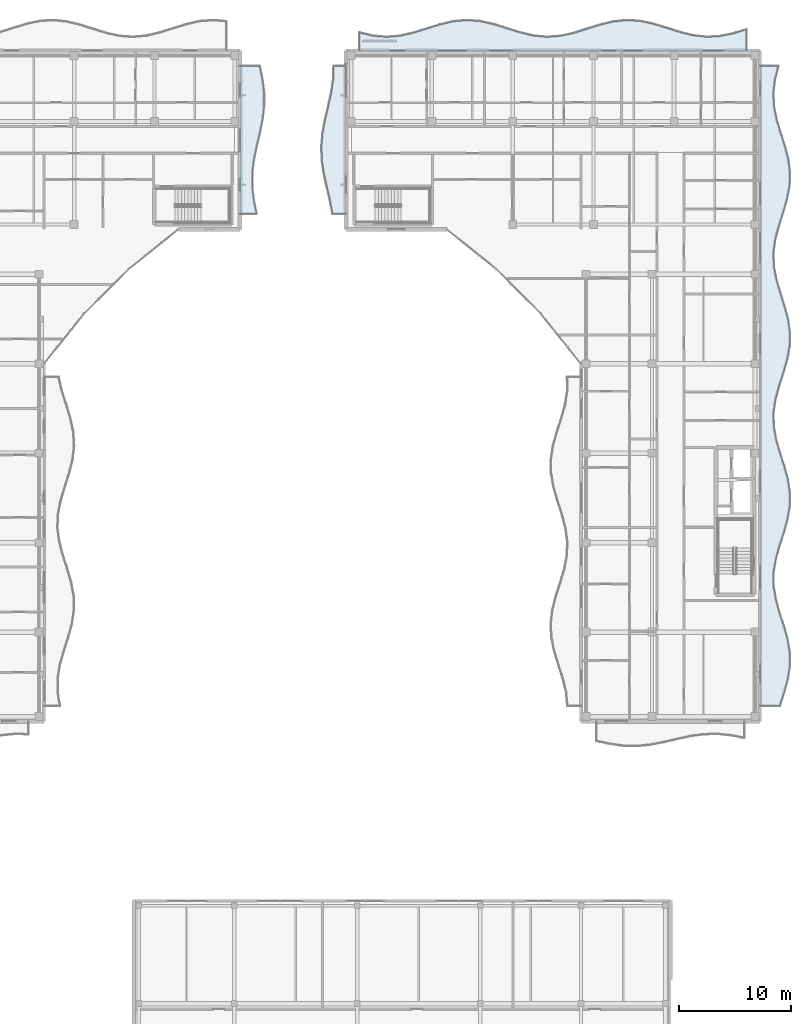
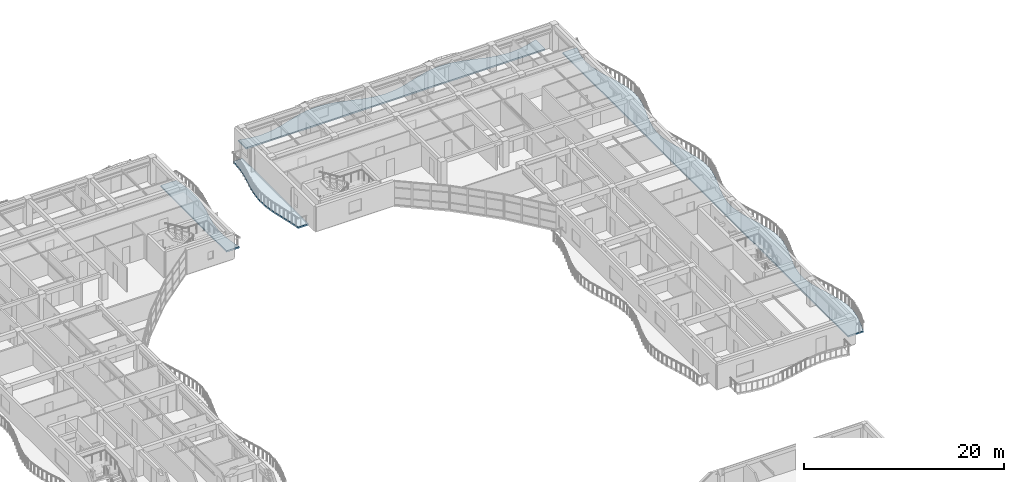
# One storey, part 44 of 89: 4 slabs.
"""IFC4 building model written with IfcOpenShell, lengths in metres."""

from ifc_helpers import new_model, si_unit, direction, frame, origin, place, context, subcontext, project, spatial, polyline, outline, extrude, material, layer, layer_set, type_object, element, save


model = new_model("IFC4")

# Units and contexts
model_context = context("Model", 3, precision=1e-05, world=origin(), true_north=direction((0.0, 1.0)))
body_context = subcontext(model_context, "Body", "Model", "MODEL_VIEW")
ifc_project = project(units=[si_unit("LENGTHUNIT", "METRE"), si_unit("AREAUNIT", "SQUARE_METRE"), si_unit("VOLUMEUNIT", "CUBIC_METRE"), si_unit("PLANEANGLEUNIT", "RADIAN"), si_unit("MASSUNIT", "GRAM", prefix="KILO")], contexts=[model_context])

# Site, building, storey
site_placement = place(None, origin())
site = spatial("IfcSite", under=ifc_project, at=site_placement, CompositionType="ELEMENT")
building_placement = place(site_placement, origin())
building = spatial("IfcBuilding", under=site, at=building_placement, Name="Keldmere Railside Commons", CompositionType="ELEMENT")
storey_placement = place(building_placement, frame((0.0, 0.0, 7.360107421875)))
storey = spatial("IfcBuildingStorey", under=building, at=storey_placement, Name="L02", CompositionType="ELEMENT", Elevation=7.360107421875)

# Slabs
ifc_material = material(Name="White Precast Concrete H-35 (C35/45)", Category="concrete")
ifc_layer = layer(ifc_material, 0.179931640625, Name="Sinusoidal Wave Balcony Slab 180")
ifc_layer_set = layer_set([ifc_layer], Name="White Precast Concrete H-35 (C35/45)")
slab_type = type_object("IfcSlabType", Name="Sinusoidal Wave Balcony Slab 180", PredefinedType="FLOOR", material=ifc_layer_set)
slab_1_placement = place(storey_placement, frame((0.0, 0.0, -0.18017578125)))
element("IfcSlab", 1, at=slab_1_placement, inside=storey, type_object=slab_type, Name="WB-1 B L02 WE Wave Balcony", PredefinedType="FLOOR", context=body_context, shape_type="SweptSolid", body=[
    extrude(outline(polyline([(139.009521484375, 101.39990234375), (138.762451171875, 102.60009765625), (138.619140625, 103.800048828125), (138.618408203125, 105.0), (138.759765625, 106.199951171875), (139.005859375, 107.39990234375), (139.29052734375, 108.60009765625), (139.53759765625, 109.800048828125), (139.680908203125, 111.0), (139.681640625, 112.199951171875), (139.540283203125, 113.39990234375), (139.294189453125, 114.60009765625), (137.5, 114.60009765625), (137.5, 113.39990234375), (137.5, 112.199951171875), (137.5, 111.0), (137.5, 109.800048828125), (137.5, 108.60009765625), (137.5, 107.39990234375), (137.5, 106.199951171875), (137.5, 105.0), (137.5, 103.800048828125), (137.5, 102.60009765625), (137.5, 101.39990234375), (139.009521484375, 101.39990234375)])), origin(), (0.0, 0.0, 1.0), 0.18017578125),
])
slab_2_placement = place(storey_placement, frame((0.0, 0.0, -0.18017578125)))
element("IfcSlab", 2, at=slab_2_placement, inside=storey, type_object=slab_type, Name="WB-1 A L02 N Wave Balcony", PredefinedType="FLOOR", context=body_context, shape_type="SweptSolid", body=[
    extrude(outline(polyline([(148.199951171875, 116.0), (149.39306640625, 116.0), (150.586181640625, 116.0), (151.779296875, 116.0), (152.972412109375, 116.0), (154.16552734375, 116.0), (155.358642578125, 116.0), (156.5517578125, 116.0), (157.744873046875, 116.0), (158.93798828125, 116.0), (160.131103515625, 116.0), (161.32421875, 116.0), (162.51708984375, 116.0), (163.710205078125, 116.0), (164.9033203125, 116.0), (166.0966796875, 116.0), (167.289794921875, 116.0), (168.48291015625, 116.0), (169.67578125, 116.0), (170.868896484375, 116.0), (172.06201171875, 116.0), (173.255126953125, 116.0), (174.4482421875, 116.0), (175.641357421875, 116.0), (176.83447265625, 116.0), (178.027587890625, 116.0), (179.220703125, 116.0), (180.413818359375, 116.0), (181.60693359375, 116.0), (182.800048828125, 116.0), (182.800048828125, 117.873291015625), (181.60693359375, 117.512451171875), (180.413818359375, 117.267333984375), (179.220703125, 117.203369140625), (178.027587890625, 117.3369140625), (176.83447265625, 117.633056640625), (175.641357421875, 118.01318359375), (174.4482421875, 118.376708984375), (173.255126953125, 118.626953125), (172.06201171875, 118.697998046875), (170.868896484375, 118.57080078125), (169.67578125, 118.279052734375), (168.48291015625, 117.900390625), (167.289794921875, 117.53466796875), (166.0966796875, 117.279052734375), (164.9033203125, 117.201171875), (163.710205078125, 117.32177734375), (162.51708984375, 117.60888671875), (161.32421875, 117.986083984375), (160.131103515625, 118.35400390625), (158.93798828125, 118.61474609375), (157.744873046875, 118.699462890625), (156.5517578125, 118.58544921875), (155.358642578125, 118.30322265625), (154.16552734375, 117.92724609375), (152.972412109375, 117.5576171875), (151.779296875, 117.29150390625), (150.586181640625, 117.2001953125), (149.39306640625, 117.307373046875), (148.199951171875, 117.5849609375), (148.199951171875, 116.0)])), origin(), (0.0, 0.0, 1.0), 0.18017578125),
])
slab_3_placement = place(storey_placement, frame((0.0, 0.0, -0.18017578125)))
element("IfcSlab", 3, at=slab_3_placement, inside=storey, type_object=slab_type, Name="WB-1 A L02 CE Wave Balcony", PredefinedType="FLOOR", context=body_context, shape_type="SweptSolid", body=[
    extrude(outline(polyline([(185.776611328125, 57.39990234375), (186.162109375, 58.591796875), (186.491455078125, 59.783203125), (186.677734375, 60.97509765625), (186.671630859375, 62.166748046875), (186.474853515625, 63.3583984375), (186.13916015625, 64.550048828125), (185.753662109375, 65.74169921875), (185.419921875, 66.933349609375), (185.226318359375, 68.125), (185.22412109375, 69.316650390625), (185.413818359375, 70.50830078125), (185.7451171875, 71.699951171875), (186.130615234375, 72.8916015625), (186.468505859375, 74.083251953125), (186.669189453125, 75.27490234375), (186.679931640625, 76.466796875), (186.49755859375, 77.658203125), (186.170654296875, 78.85009765625), (185.785400390625, 80.041748046875), (185.443603515625, 81.2333984375), (185.235595703125, 82.425048828125), (185.216552734375, 83.61669921875), (185.391357421875, 84.808349609375), (185.7138671875, 86.0), (186.0986328125, 87.191650390625), (186.444091796875, 88.38330078125), (186.6591796875, 89.574951171875), (186.686767578125, 90.7666015625), (186.51953125, 91.958251953125), (186.20166015625, 93.14990234375), (185.8173828125, 94.341796875), (185.46826171875, 95.533203125), (185.246337890625, 96.72509765625), (185.21044921875, 97.916748046875), (185.3701171875, 99.1083984375), (185.682861328125, 100.300048828125), (186.06640625, 101.49169921875), (186.419189453125, 102.683349609375), (186.64794921875, 103.875), (186.692138671875, 105.066650390625), (186.540283203125, 106.25830078125), (186.232421875, 107.449951171875), (185.849609375, 108.6416015625), (185.49365234375, 109.833251953125), (185.25830078125, 111.02490234375), (185.205810546875, 112.216796875), (185.349853515625, 113.408203125), (185.652587890625, 114.60009765625), (184.0, 114.60009765625), (184.0, 113.408203125), (184.0, 112.216796875), (184.0, 111.02490234375), (184.0, 109.833251953125), (184.0, 108.6416015625), (184.0, 107.449951171875), (184.0, 106.25830078125), (184.0, 105.066650390625), (184.0, 103.875), (184.0, 102.683349609375), (184.0, 101.49169921875), (184.0, 100.300048828125), (184.0, 99.1083984375), (184.0, 97.916748046875), (184.0, 96.72509765625), (184.0, 95.533203125), (184.0, 94.341796875), (184.0, 93.14990234375), (184.0, 91.958251953125), (184.0, 90.7666015625), (184.0, 89.574951171875), (184.0, 88.38330078125), (184.0, 87.191650390625), (184.0, 86.0), (184.0, 84.808349609375), (184.0, 83.61669921875), (184.0, 82.425048828125), (184.0, 81.2333984375), (184.0, 80.041748046875), (184.0, 78.85009765625), (184.0, 77.658203125), (184.0, 76.466796875), (184.0, 75.27490234375), (184.0, 74.083251953125), (184.0, 72.8916015625), (184.0, 71.699951171875), (184.0, 70.50830078125), (184.0, 69.316650390625), (184.0, 68.125), (184.0, 66.933349609375), (184.0, 65.74169921875), (184.0, 64.550048828125), (184.0, 63.3583984375), (184.0, 62.166748046875), (184.0, 60.97509765625), (184.0, 59.783203125), (184.0, 58.591796875), (184.0, 57.39990234375), (185.776611328125, 57.39990234375)])), origin(), (0.0, 0.0, 1.0), 0.18017578125),
])
slab_4_placement = place(storey_placement, frame((0.0, 0.0, -0.18017578125)))
element("IfcSlab", 4, at=slab_4_placement, inside=storey, type_object=slab_type, Name="WB-1 A L02 WW Wave Balcony", PredefinedType="FLOOR", context=body_context, shape_type="SweptSolid", body=[
    extrude(outline(polyline([(147.0, 101.39990234375), (147.0, 102.60009765625), (147.0, 103.800048828125), (147.0, 105.0), (147.0, 106.199951171875), (147.0, 107.39990234375), (147.0, 108.60009765625), (147.0, 109.800048828125), (147.0, 111.0), (147.0, 112.199951171875), (147.0, 113.39990234375), (147.0, 114.60009765625), (145.896484375, 114.60009765625), (145.8544921875, 113.39990234375), (145.677490234375, 112.199951171875), (145.41259765625, 111.0), (145.131103515625, 109.800048828125), (144.908203125, 108.60009765625), (144.8037109375, 107.39990234375), (144.845458984375, 106.199951171875), (145.022705078125, 105.0), (145.287353515625, 103.800048828125), (145.569091796875, 102.60009765625), (145.7919921875, 101.39990234375), (147.0, 101.39990234375)])), origin(), (0.0, 0.0, 1.0), 0.18017578125),
])

save(model, "model.ifc")
